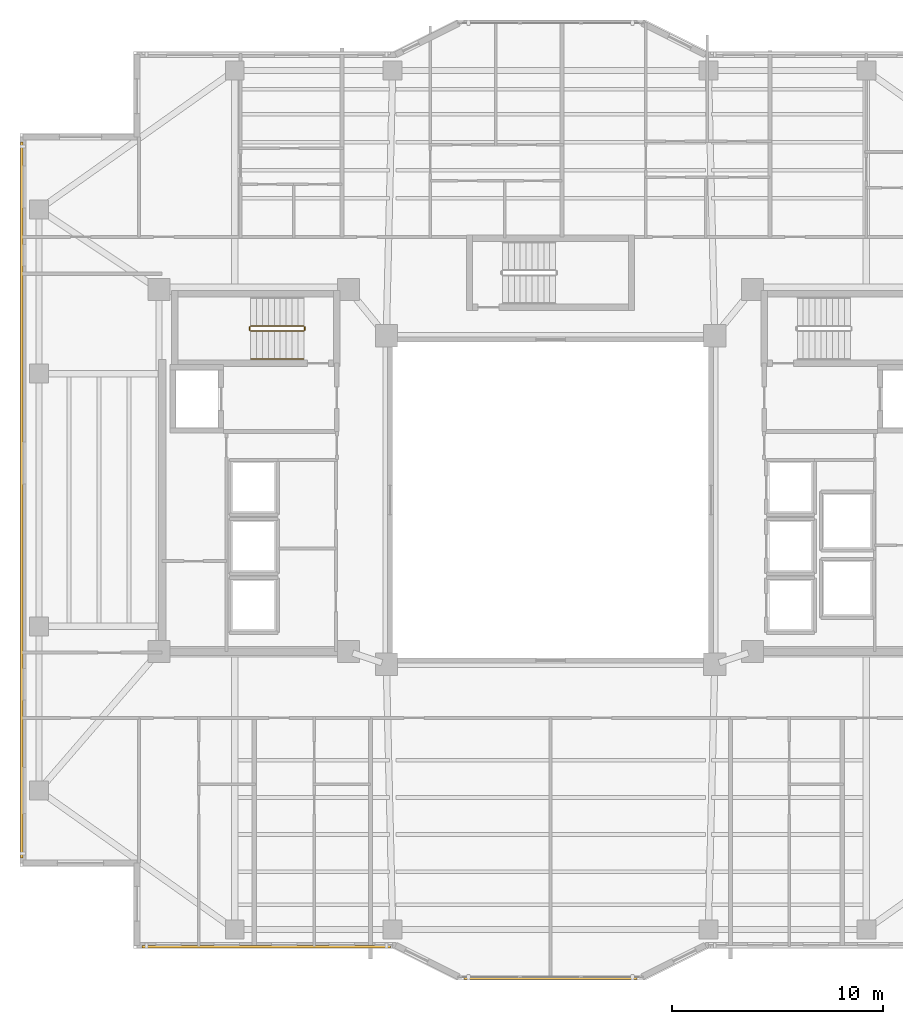
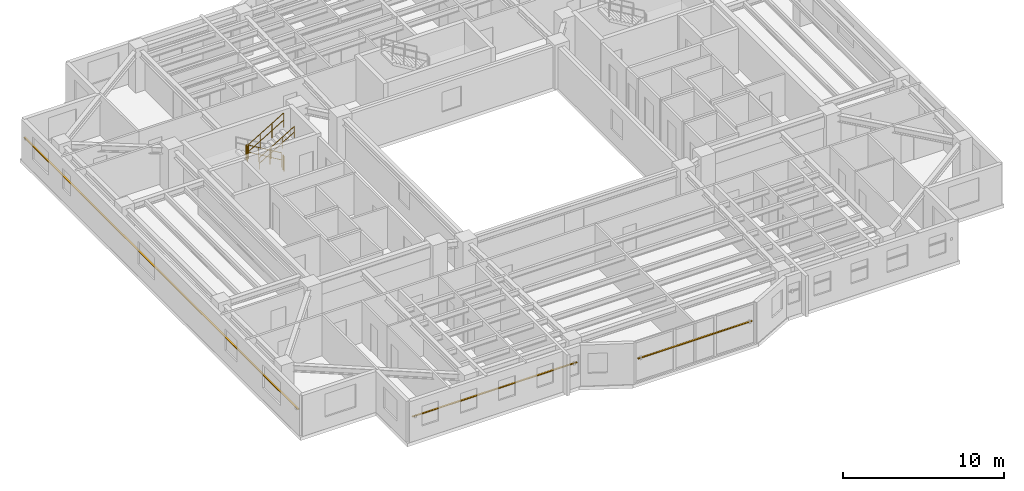
# One storey, part 14 of 16: 5 railings, 3 shading devices.
"""IFC4 building model written with IfcOpenShell, lengths in metres."""

from ifc_helpers import new_model, si_unit, direction, frame, origin, origin_2d, place, context, subcontext, project, spatial, rectangle, circle, extrude, material, material_profile, profile_set, type_object, element, save


model = new_model("IFC4")

# Units and contexts
model_context = context("Model", 3, precision=1e-05, world=origin(), true_north=direction((0.0, 1.0)))
body_context = subcontext(model_context, "Body", "Model", "MODEL_VIEW")
ifc_project = project(units=[si_unit("LENGTHUNIT", "METRE"), si_unit("AREAUNIT", "SQUARE_METRE"), si_unit("VOLUMEUNIT", "CUBIC_METRE"), si_unit("PLANEANGLEUNIT", "RADIAN"), si_unit("MASSUNIT", "GRAM", prefix="KILO")], contexts=[model_context])

# Site, building, storey
site_placement = place(None, origin())
site = spatial("IfcSite", under=ifc_project, at=site_placement, CompositionType="ELEMENT")
building_placement = place(site_placement, origin())
building = spatial("IfcBuilding", under=site, at=building_placement, Name="Tarnavaz Court Tower", CompositionType="ELEMENT")
storey_placement = place(building_placement, frame((0.0, 0.0, 152.699951171875)))
storey = spatial("IfcBuildingStorey", under=building, at=storey_placement, Name="L41", CompositionType="ELEMENT", Elevation=152.699951171875)

# Railings
ifc_material_1 = material(Name="Brushed Stainless Steel", Category="steel")
railing_type_1 = type_object("IfcRailingType", Name="RL-HANDRAIL-900", PredefinedType="HANDRAIL", material=ifc_material_1)
railing_1_placement = place(storey_placement, frame((-14.239990234375, 6.699951171875, 1.842529296875)))
element("IfcRailing", 1, at=railing_1_placement, inside=storey, type_object=railing_type_1, Name="L41 ST-W1 stair handrail 2", PredefinedType="HANDRAIL", context=body_context, shape_type="SweptSolid", body=[
    extrude(circle(Radius=0.02392578125, at=origin_2d()), frame((0.0, 0.0, 0.8759765625), z_axis=(0.858159760407, 0.0, 0.513382728203), x_axis=(0.0, 1.0, 0.0)), (0.0, 0.0, 1.0), 2.9365234375),
    extrude(circle(Radius=0.02392578125, at=origin_2d()), frame((0.0, 0.0, 0.449951171875), z_axis=(0.858159760407, 0.0, 0.513382728203), x_axis=(0.0, 1.0, 0.0)), (0.0, 0.0, 1.0), 2.9365234375),
    extrude(circle(Radius=0.02099609375, at=origin_2d()), origin(), (0.0, 0.0, 1.0), 0.851806640625),
    extrude(circle(Radius=0.02099609375, at=origin_2d()), frame((0.840087890625, 0.0, 0.50244140625)), (0.0, 0.0, 1.0), 0.851806640625),
    extrude(circle(Radius=0.02099609375, at=origin_2d()), frame((1.679931640625, 0.0, 1.005126953125)), (0.0, 0.0, 1.0), 0.851806640625),
    extrude(circle(Radius=0.02099609375, at=origin_2d()), frame((2.52001953125, 0.0, 1.507568359375)), (0.0, 0.0, 1.0), 0.851806640625),
])
ifc_material_2 = material(Name="Galvanized Painted Tubular Steel", Category="steel")
railing_type_2 = type_object("IfcRailingType", Name="RL-STGUARD-1120", PredefinedType="GUARDRAIL", material=ifc_material_2)
railing_2_placement = place(storey_placement, frame((-11.719970703125, 8.27001953125, 0.16748046875)))
element("IfcRailing", 2, at=railing_2_placement, inside=storey, type_object=railing_type_2, Name="L41 ST-W1 stair guard 1", PredefinedType="GUARDRAIL", context=body_context, shape_type="SweptSolid", body=[
    extrude(circle(Radius=0.02392578125, at=origin_2d()), frame((0.0, 0.0, 1.09619140625), z_axis=(-0.858159760407, 0.0, 0.513382728203), x_axis=(0.0, -1.0, 0.0)), (0.0, 0.0, 1.0), 2.9365234375),
    extrude(circle(Radius=0.02392578125, at=origin_2d()), frame((0.0, 0.0, 0.56005859375), z_axis=(-0.858159760407, 0.0, 0.513382728203), x_axis=(0.0, -1.0, 0.0)), (0.0, 0.0, 1.0), 2.9365234375),
    extrude(circle(Radius=0.02099609375, at=origin_2d()), origin(), (0.0, 0.0, 1.0), 1.072021484375),
    extrude(circle(Radius=0.02099609375, at=origin_2d()), frame((-0.840087890625, 0.0, 0.50244140625)), (0.0, 0.0, 1.0), 1.072021484375),
    extrude(circle(Radius=0.02099609375, at=origin_2d()), frame((-1.679931640625, 0.0, 1.005126953125)), (0.0, 0.0, 1.0), 1.072021484375),
    extrude(circle(Radius=0.02099609375, at=origin_2d()), frame((-2.52001953125, 0.0, 1.507568359375)), (0.0, 0.0, 1.0), 1.072021484375),
])
railing_3_placement = place(storey_placement, frame((-14.2900390625, 8.219970703125, 1.675048828125)))
element("IfcRailing", 3, at=railing_3_placement, inside=storey, type_object=railing_type_2, Name="L41 ST-W1 stair guard 2", PredefinedType="GUARDRAIL", context=body_context, shape_type="SweptSolid", body=[
    extrude(circle(Radius=0.02392578125, at=origin_2d()), frame((0.0, 0.0, 1.09619140625), z_axis=(0.0, -1.0, 0.0), x_axis=(1.0, 0.0, 0.0)), (0.0, 0.0, 1.0), 0.14990234375),
    extrude(circle(Radius=0.02392578125, at=origin_2d()), frame((0.0, 0.0, 0.56005859375), z_axis=(0.0, -1.0, 0.0), x_axis=(1.0, 0.0, 0.0)), (0.0, 0.0, 1.0), 0.14990234375),
    extrude(circle(Radius=0.02099609375, at=origin_2d()), origin(), (0.0, 0.0, 1.0), 1.072021484375),
    extrude(circle(Radius=0.02099609375, at=origin_2d()), frame((0.0, -0.14990234375, 0.0)), (0.0, 0.0, 1.0), 1.072021484375),
])
railing_4_placement = place(storey_placement, frame((-14.239990234375, 8.02001953125, 1.842529296875)))
element("IfcRailing", 4, at=railing_4_placement, inside=storey, type_object=railing_type_2, Name="L41 ST-W1 stair guard 3", PredefinedType="GUARDRAIL", context=body_context, shape_type="SweptSolid", body=[
    extrude(circle(Radius=0.02392578125, at=origin_2d()), frame((0.0, 0.0, 1.09619140625), z_axis=(0.858159760407, 0.0, 0.513382728203), x_axis=(0.0, 1.0, 0.0)), (0.0, 0.0, 1.0), 2.9365234375),
    extrude(circle(Radius=0.02392578125, at=origin_2d()), frame((0.0, 0.0, 0.56005859375), z_axis=(0.858159760407, 0.0, 0.513382728203), x_axis=(0.0, 1.0, 0.0)), (0.0, 0.0, 1.0), 2.9365234375),
    extrude(circle(Radius=0.02099609375, at=origin_2d()), origin(), (0.0, 0.0, 1.0), 1.072021484375),
    extrude(circle(Radius=0.02099609375, at=origin_2d()), frame((0.840087890625, 0.0, 0.50244140625)), (0.0, 0.0, 1.0), 1.072021484375),
    extrude(circle(Radius=0.02099609375, at=origin_2d()), frame((1.679931640625, 0.0, 1.005126953125)), (0.0, 0.0, 1.0), 1.072021484375),
    extrude(circle(Radius=0.02099609375, at=origin_2d()), frame((2.52001953125, 0.0, 1.507568359375)), (0.0, 0.0, 1.0), 1.072021484375),
])
railing_5_placement = place(storey_placement, frame((-11.669921875, 8.219970703125, 0.0)))
element("IfcRailing", 5, at=railing_5_placement, inside=storey, type_object=railing_type_2, Name="L41 ST-W1 stair guard 4", PredefinedType="GUARDRAIL", context=body_context, shape_type="SweptSolid", body=[
    extrude(circle(Radius=0.02392578125, at=origin_2d()), frame((0.0, 0.0, 1.09619140625), z_axis=(0.0, -1.0, 0.0), x_axis=(1.0, 0.0, 0.0)), (0.0, 0.0, 1.0), 0.14990234375),
    extrude(circle(Radius=0.02392578125, at=origin_2d()), frame((0.0, 0.0, 0.56005859375), z_axis=(0.0, -1.0, 0.0), x_axis=(1.0, 0.0, 0.0)), (0.0, 0.0, 1.0), 0.14990234375),
    extrude(circle(Radius=0.02099609375, at=origin_2d()), origin(), (0.0, 0.0, 1.0), 1.072021484375),
    extrude(circle(Radius=0.02099609375, at=origin_2d()), frame((0.0, -0.14990234375, 0.0)), (0.0, 0.0, 1.0), 1.072021484375),
])

# Shading devices
ifc_material_3 = material(Name="Kiln-Fired Khorasan Terracotta Ceramic", Category="masonry")
ifc_material_profile = material_profile(ifc_material_3, rectangle(XDim=0.1201171875, YDim=0.06005859375, at=origin_2d()), Name="TC BAGUETTE 120X60")
ifc_profile_set = profile_set([ifc_material_profile], Name="Kiln-Fired Khorasan Terracotta Ceramic")
shading_device_type = type_object("IfcShadingDeviceType", Name="SD-BAG-120", PredefinedType="USERDEFINED", material=ifc_profile_set)
shading_device_1_placement = place(storey_placement, frame((-25.110107421875, -17.0, 1.85009765625), z_axis=(0.0, 1.0, 0.0), x_axis=(-1.0, 0.0, 0.0)))
element("IfcShadingDevice", 6, at=shading_device_1_placement, inside=storey, type_object=shading_device_type, Name="L41 Terracotta Baguette Screen FBG02", ObjectType="BAGUETTE", PredefinedType="USERDEFINED", context=body_context, shape_type="SweptSolid", body=[
    extrude(rectangle(XDim=0.1201171875, YDim=0.06005859375, at=origin_2d()), origin(), (0.0, 0.0, 1.0), 34.0),
])
shading_device_2_placement = place(storey_placement, frame((4.10009765625, -22.7099609375, 1.800048828125), z_axis=(-1.0, 0.0, 0.0), x_axis=(0.0, -1.0, 0.0)))
element("IfcShadingDevice", 7, at=shading_device_2_placement, inside=storey, type_object=shading_device_type, Name="L41 Terracotta Baguette Screen PBG17", ObjectType="BAGUETTE", PredefinedType="USERDEFINED", context=body_context, shape_type="SweptSolid", body=[
    extrude(rectangle(XDim=0.1201171875, YDim=0.06005859375, at=origin_2d()), origin(), (0.0, 0.0, 1.0), 8.2001953125),
])
shading_device_3_placement = place(storey_placement, frame((-7.60009765625, -21.2099609375, 1.85009765625), z_axis=(-1.0, 0.0, 0.0), x_axis=(0.0, -1.0, 0.0)))
element("IfcShadingDevice", 8, at=shading_device_3_placement, inside=storey, type_object=shading_device_type, Name="L41 Terracotta Baguette Screen FBG19", ObjectType="BAGUETTE", PredefinedType="USERDEFINED", context=body_context, shape_type="SweptSolid", body=[
    extrude(rectangle(XDim=0.1201171875, YDim=0.06005859375, at=origin_2d()), origin(), (0.0, 0.0, 1.0), 11.7998046875),
])

save(model, "model.ifc")
